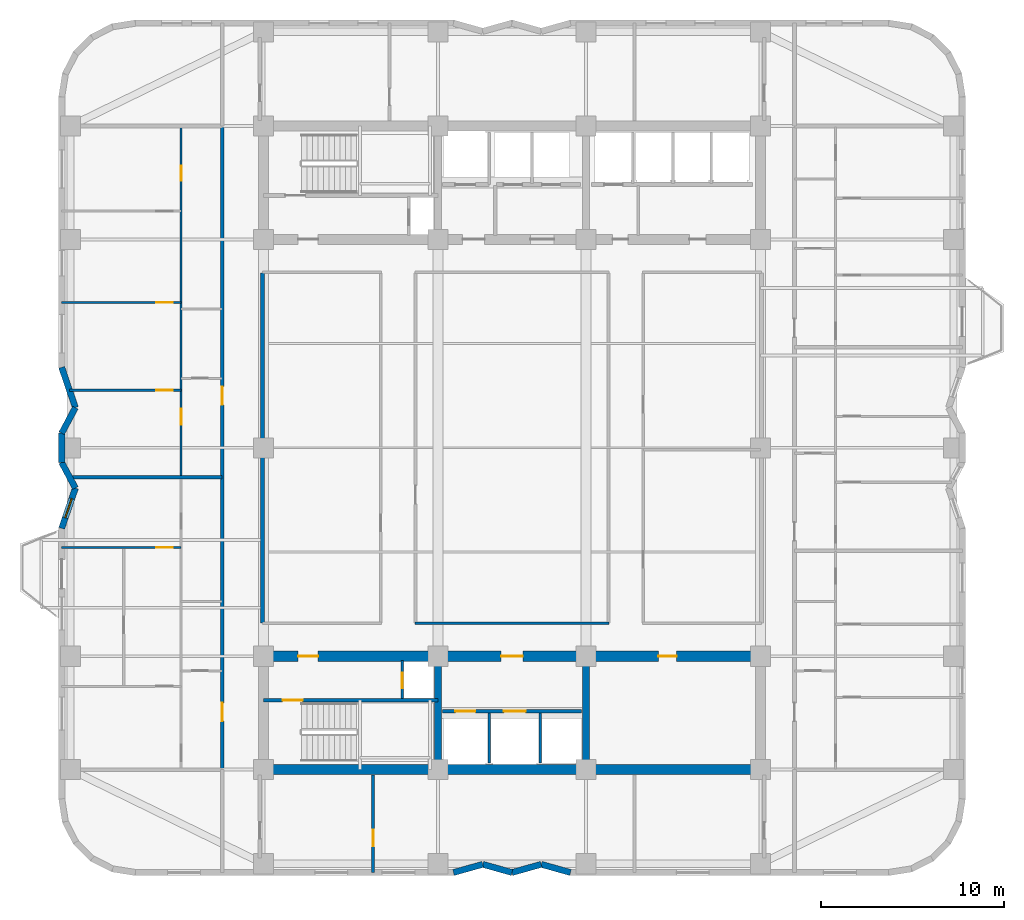
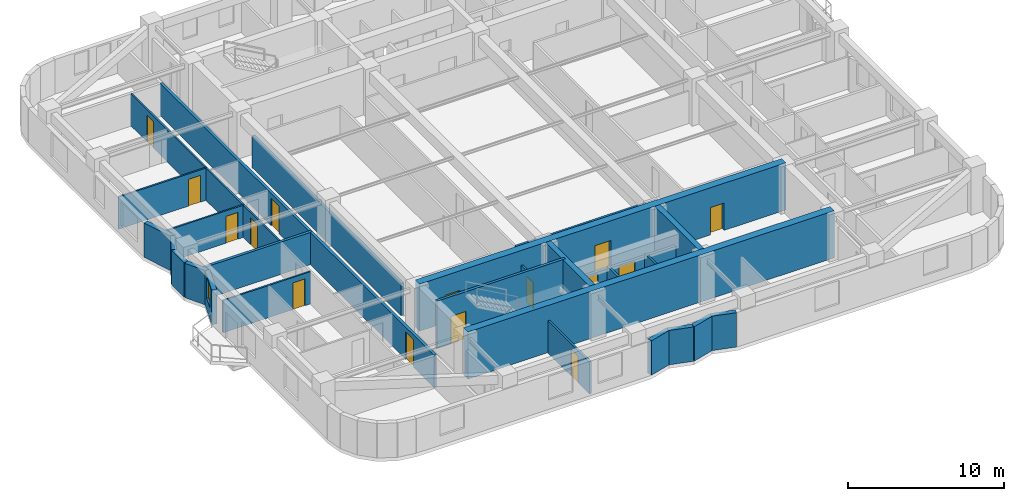
# One storey, part 3 of 9: 27 walls, 15 doors, 1 window, 16 openings.
"""IFC4 building model written with IfcOpenShell, lengths in metres."""

from ifc_helpers import new_model, si_unit, direction, frame, frame_2d, origin, place, context, subcontext, project, spatial, rectangle, extrude, material, layer, layer_set, type_object, element, fill, save


model = new_model("IFC4")

# Units and contexts
model_context = context("Model", 3, precision=1e-05, world=origin(), true_north=direction((0.0, 1.0)))
body_context = subcontext(model_context, "Body", "Model", "MODEL_VIEW")
ifc_project = project(units=[si_unit("LENGTHUNIT", "METRE"), si_unit("AREAUNIT", "SQUARE_METRE"), si_unit("VOLUMEUNIT", "CUBIC_METRE"), si_unit("PLANEANGLEUNIT", "RADIAN"), si_unit("MASSUNIT", "GRAM", prefix="KILO")], contexts=[model_context])

# Site, building, storey
site_placement = place(None, origin())
site = spatial("IfcSite", under=ifc_project, at=site_placement, CompositionType="ELEMENT")
building_placement = place(site_placement, origin())
building = spatial("IfcBuilding", under=site, at=building_placement, Name="Svetorya Sky Lyceum", CompositionType="ELEMENT")
storey_placement = place(building_placement, frame((0.0, 0.0, 121.60009765625)))
storey = spatial("IfcBuildingStorey", under=building, at=storey_placement, Name="L30", CompositionType="ELEMENT", Elevation=121.60009765625)

# Walls
ifc_material_1 = material(Name="Concrete C40/50", Category="concrete")
ifc_layer_1 = layer(ifc_material_1, 0.39990234375)
ifc_layer_set_1 = layer_set([ifc_layer_1], Name="Concrete C40/50")
wall_type_1 = type_object("IfcWallType", Name="WL-CORE-400", PredefinedType="SHEAR", material=ifc_layer_set_1)
for number, where, z_axis, x_axis, name in (
    (1, (35.14990234375, 10.875, 0.0), (0.0, 0.0, 1.0), (0.0, 1.0, 0.0), "L30 SC Internal Shear Web WEB1"),
    (2, (43.25, 10.875, 0.0), (0.0, 0.0, 1.0), (0.0, 1.0, 0.0), "L30 SC Internal Shear Web WEB2"),
):
    element("IfcWall", number, at=place(storey_placement, frame(where, z_axis=z_axis, x_axis=x_axis)), inside=storey, type_object=wall_type_1, Name=name, PredefinedType="SHEAR", context=body_context, shape_type="SweptSolid", body=[
        extrude(rectangle(XDim=5.64990234375, YDim=0.39990234375, at=frame_2d((2.824951171875, 0.0))), origin(), (0.0, 0.0, 1.0), 3.699951171875),
    ])
ifc_material_2 = material(Name="Concrete C60/75", Category="concrete")
ifc_layer_2 = layer(ifc_material_2, 0.550048828125)
ifc_layer_set_2 = layer_set([ifc_layer_2], Name="Concrete C60/75")
wall_type_2 = type_object("IfcWallType", Name="WL-CORE-550", PredefinedType="SHEAR", material=ifc_layer_set_2)
wall_1_placement = place(storey_placement, frame((52.800048828125, 10.60009765625, 0.0), z_axis=(0.0, 0.0, 1.0), x_axis=(-1.0, 0.0, 0.0)))
element("IfcWall", 3, at=wall_1_placement, inside=storey, type_object=wall_type_2, Name="L30 SC Outer Core Shear Wall", PredefinedType="SHEAR", context=body_context, shape_type="SweptSolid", body=[
    extrude(rectangle(XDim=27.199951171875, YDim=0.550048828125, at=frame_2d((13.60009765625, 0.0))), origin(), (0.0, 0.0, 1.0), 3.699951171875),
])

# Wall, openings, doors
wall_2_placement = place(storey_placement, frame((25.60009765625, 16.800048828125, 0.0), z_axis=(0.0, 0.0, 1.0), x_axis=(1.0, 0.0, 0.0)))
wall_2 = element("IfcWall", 4, at=wall_2_placement, inside=storey, type_object=wall_type_2, Name="L30 SC Inner Core Shear Wall", PredefinedType="SHEAR", context=body_context, shape_type="SweptSolid", body=[
    extrude(rectangle(XDim=27.199951171875, YDim=0.550048828125, at=frame_2d((13.60009765625, 0.0))), origin(), (0.0, 0.0, 1.0), 3.699951171875),
])
opening_1_placement = place(wall_2_placement, frame((1.89990234375, 0.0, 0.0)))
opening_1 = element("IfcOpeningElement", 5, at=opening_1_placement, cuts=wall_2, Name="Opening D-ST1", PredefinedType="OPENING", context=body_context, shape_type="SweptSolid", body=[
    extrude(rectangle(XDim=1.10009765625, YDim=2.14990234375, at=frame_2d((0.550048828125, 1.074951171875))), frame((0.0, 0.284912109375, 0.0), z_axis=(0.0, -1.0, 0.0), x_axis=(1.0, 0.0, 0.0)), (0.0, 0.0, 1.0), 0.570068359375),
])
opening_2_placement = place(wall_2_placement, frame((13.0, 0.0, 0.0)))
opening_2 = element("IfcOpeningElement", 6, at=opening_2_placement, cuts=wall_2, Name="Opening D-FL1", PredefinedType="OPENING", context=body_context, shape_type="SweptSolid", body=[
    extrude(rectangle(XDim=1.199951171875, YDim=2.14990234375, at=frame_2d((0.60009765625, 1.074951171875))), frame((0.0, 0.284912109375, 0.0), z_axis=(0.0, -1.0, 0.0), x_axis=(1.0, 0.0, 0.0)), (0.0, 0.0, 1.0), 0.570068359375),
])
opening_3_placement = place(wall_2_placement, frame((21.60009765625, 0.0, 0.0)))
opening_3 = element("IfcOpeningElement", 7, at=opening_3_placement, cuts=wall_2, Name="Opening D-RM2", PredefinedType="OPENING", context=body_context, shape_type="SweptSolid", body=[
    extrude(rectangle(XDim=1.0, YDim=2.14990234375, at=frame_2d((0.5, 1.074951171875))), frame((0.0, 0.284912109375, 0.0), z_axis=(0.0, -1.0, 0.0), x_axis=(1.0, 0.0, 0.0)), (0.0, 0.0, 1.0), 0.570068359375),
])
ifc_material_3 = material(Name="Powder-coated insulated galvanized stair fire door")
door_type_1 = type_object("IfcDoorType", Name="DR-FIRE-1100", OperationType="SINGLE_SWING_LEFT", PredefinedType="DOOR", material=ifc_material_3)
door_1_placement = place(opening_1_placement, origin())
door_1 = element("IfcDoor", 8, at=door_1_placement, inside=storey, type_object=door_type_1, Name="L30 South Stair Airlock Door", OperationType="SINGLE_SWING_RIGHT", OverallHeight=2.14990234375, OverallWidth=1.10009765625, PredefinedType="DOOR", context=body_context, shape_type="SweptSolid", body=[
    extrude(rectangle(XDim=1.10009765625, YDim=2.14990234375, at=frame_2d((0.550048828125, 1.074951171875))), frame((0.0, 0.02490234375, 0.0), z_axis=(0.0, -1.0, 0.0), x_axis=(1.0, 0.0, 0.0)), (0.0, 0.0, 1.0), 0.050048828125),
])
fill(opening_1, door_1)
ifc_material_4 = material(Name="Powder-coated insulated galvanized fire door")
door_type_2 = type_object("IfcDoorType", Name="DR-FIRE-1200", OperationType="SINGLE_SWING_LEFT", PredefinedType="DOOR", material=ifc_material_4)
door_2_placement = place(opening_2_placement, origin())
door_2 = element("IfcDoor", 9, at=door_2_placement, inside=storey, type_object=door_type_2, Name="L30 South Firefighting Lift Lobby Door", OperationType="SINGLE_SWING_LEFT", OverallHeight=2.14990234375, OverallWidth=1.199951171875, PredefinedType="DOOR", context=body_context, shape_type="SweptSolid", body=[
    extrude(rectangle(XDim=1.199951171875, YDim=2.14990234375, at=frame_2d((0.60009765625, 1.074951171875))), frame((0.0, 0.02490234375, 0.0), z_axis=(0.0, -1.0, 0.0), x_axis=(1.0, 0.0, 0.0)), (0.0, 0.0, 1.0), 0.050048828125),
])
fill(opening_2, door_2)
ifc_material_5 = material(Name="Solid-core oak acoustic room door")
door_type_3 = type_object("IfcDoorType", Name="DR-INT-1000", OperationType="SINGLE_SWING_LEFT", PredefinedType="DOOR", material=ifc_material_5)
door_3_placement = place(opening_3_placement, origin())
door_3 = element("IfcDoor", 10, at=door_3_placement, inside=storey, type_object=door_type_3, Name="L30 Trunk Store Door", OperationType="SINGLE_SWING_LEFT", OverallHeight=2.14990234375, OverallWidth=1.0, PredefinedType="DOOR", context=body_context, shape_type="SweptSolid", body=[
    extrude(rectangle(XDim=1.0, YDim=2.14990234375, at=frame_2d((0.5, 1.074951171875))), frame((0.0, 0.02490234375, 0.0), z_axis=(0.0, -1.0, 0.0), x_axis=(1.0, 0.0, 0.0)), (0.0, 0.0, 1.0), 0.050048828125),
])
fill(opening_3, door_3)

# Walls
ifc_material_6 = material(Name="Putilovo limestone rainscreen on autoclaved cellular masonry", Category="masonry")
ifc_layer_3 = layer(ifc_material_6, 0.340087890625)
ifc_layer_set_3 = layer_set([ifc_layer_3], Name="Putilovo limestone rainscreen on autoclaved cellular masonry")
wall_type_3 = type_object("IfcWallType", Name="WL-EXT-340", PredefinedType="SOLIDWALL", material=ifc_layer_set_3)
wall_3_placement = place(storey_placement, frame((36.0, 4.969970703125, 0.0), z_axis=(0.0, 0.0, 1.0), x_axis=(0.962662902433, 0.270703040766, 0.0)))
element("IfcWall", 11, at=wall_3_placement, inside=storey, type_object=wall_type_3, Name="L30 Limestone Exterior Wall 7M", PredefinedType="SOLIDWALL", context=body_context, shape_type="SweptSolid", body=[
    extrude(rectangle(XDim=1.662109375, YDim=0.340087890625, at=frame_2d((0.8310546875, 0.0))), origin(), (0.0, 0.0, 1.0), 2.699951171875),
])
wall_4_placement = place(storey_placement, frame((37.60009765625, 5.419921875, 0.0), z_axis=(0.0, 0.0, 1.0), x_axis=(0.962652136636, -0.270741322725, 0.0)))
element("IfcWall", 12, at=wall_4_placement, inside=storey, type_object=wall_type_3, Name="L30 Limestone Exterior Wall 8M", PredefinedType="SOLIDWALL", context=body_context, shape_type="SweptSolid", body=[
    extrude(rectangle(XDim=1.661865234375, YDim=0.340087890625, at=frame_2d((0.8310546875, 0.0))), origin(), (0.0, 0.0, 1.0), 2.699951171875),
])
wall_5_placement = place(storey_placement, frame((39.199951171875, 4.969970703125, 0.0), z_axis=(0.0, 0.0, 1.0), x_axis=(0.962662902433, 0.270703040766, 0.0)))
element("IfcWall", 13, at=wall_5_placement, inside=storey, type_object=wall_type_3, Name="L30 Limestone Exterior Wall 9M", PredefinedType="SOLIDWALL", context=body_context, shape_type="SweptSolid", body=[
    extrude(rectangle(XDim=1.662109375, YDim=0.340087890625, at=frame_2d((0.8310546875, 0.0))), origin(), (0.0, 0.0, 1.0), 2.699951171875),
])
wall_6_placement = place(storey_placement, frame((40.800048828125, 5.419921875, 0.0), z_axis=(0.0, 0.0, 1.0), x_axis=(0.962652136636, -0.270741322725, 0.0)))
element("IfcWall", 14, at=wall_6_placement, inside=storey, type_object=wall_type_3, Name="L30 Limestone Exterior Wall 10M", PredefinedType="SOLIDWALL", context=body_context, shape_type="SweptSolid", body=[
    extrude(rectangle(XDim=1.661865234375, YDim=0.340087890625, at=frame_2d((0.8310546875, 0.0))), origin(), (0.0, 0.0, 1.0), 2.699951171875),
])
wall_7_placement = place(storey_placement, frame((14.570068359375, 32.60009765625, 0.0), z_axis=(0.0, 0.0, 1.0), x_axis=(0.32264826586, -0.946518936175, 0.0)))
element("IfcWall", 15, at=wall_7_placement, inside=storey, type_object=wall_type_3, Name="L30 Limestone Exterior Wall 41M", PredefinedType="SOLIDWALL", context=body_context, shape_type="SweptSolid", body=[
    extrude(rectangle(XDim=2.324462890625, YDim=0.340087890625, at=frame_2d((1.162109375, 0.0))), origin(), (0.0, 0.0, 1.0), 2.699951171875),
])
wall_8_placement = place(storey_placement, frame((15.320068359375, 30.39990234375, 0.0), z_axis=(0.0, 0.0, 1.0), x_axis=(-0.472247007964, -0.881466257703, 0.0)))
element("IfcWall", 16, at=wall_8_placement, inside=storey, type_object=wall_type_3, Name="L30 Limestone Exterior Wall 42M", PredefinedType="SOLIDWALL", context=body_context, shape_type="SweptSolid", body=[
    extrude(rectangle(XDim=1.588134765625, YDim=0.340087890625, at=frame_2d((0.7939453125, 0.0))), origin(), (0.0, 0.0, 1.0), 2.699951171875),
])
wall_9_placement = place(storey_placement, frame((14.570068359375, 29.0, 0.0), z_axis=(0.0, 0.0, 1.0), x_axis=(0.0, -1.0, 0.0)))
element("IfcWall", 17, at=wall_9_placement, inside=storey, type_object=wall_type_3, Name="L30 Limestone Exterior Wall 43M", PredefinedType="SOLIDWALL", context=body_context, shape_type="SweptSolid", body=[
    extrude(rectangle(XDim=1.60009765625, YDim=0.340087890625, at=frame_2d((0.800048828125, 0.0))), origin(), (0.0, 0.0, 1.0), 2.699951171875),
])
wall_10_placement = place(storey_placement, frame((14.570068359375, 27.39990234375, 0.0), z_axis=(0.0, 0.0, 1.0), x_axis=(0.472247007964, -0.881466257703, 0.0)))
element("IfcWall", 18, at=wall_10_placement, inside=storey, type_object=wall_type_3, Name="L30 Limestone Exterior Wall 44M", PredefinedType="SOLIDWALL", context=body_context, shape_type="SweptSolid", body=[
    extrude(rectangle(XDim=1.588134765625, YDim=0.340087890625, at=frame_2d((0.7939453125, 0.0))), origin(), (0.0, 0.0, 1.0), 2.699951171875),
])

# Wall, opening, window
wall_11_placement = place(storey_placement, frame((15.320068359375, 26.0, 0.0), z_axis=(0.0, 0.0, 1.0), x_axis=(-0.322680343871, -0.946508000853, 0.0)))
wall_11 = element("IfcWall", 19, at=wall_11_placement, inside=storey, type_object=wall_type_3, Name="L30 Limestone Exterior Wall 45M", PredefinedType="SOLIDWALL", context=body_context, shape_type="SweptSolid", body=[
    extrude(rectangle(XDim=2.32421875, YDim=0.340087890625, at=frame_2d((1.162109375, 0.0))), origin(), (0.0, 0.0, 1.0), 2.699951171875),
])
opening_4_placement = place(wall_11_placement, frame((0.6123046875, 0.0, 0.889892578125)))
opening_4 = element("IfcOpeningElement", 20, at=opening_4_placement, cuts=wall_11, Name="Opening W-R3", PredefinedType="OPENING", context=body_context, shape_type="SweptSolid", body=[
    extrude(rectangle(XDim=1.10009765625, YDim=1.64990234375, at=frame_2d((0.550048828125, 0.824951171875))), frame((0.0, 0.179931640625, 0.0), z_axis=(0.0, -1.0, 0.0), x_axis=(1.0, 0.0, 0.0)), (0.0, 0.0, 1.0), 0.360107421875),
])
ifc_material_7 = material(Name="Thermally broken aluminium frame with triple low-E glazing", Category="aluminium")
window_type = type_object("IfcWindowType", Name="WN-RES-110", PartitioningType="SINGLE_PANEL", PredefinedType="WINDOW", material=ifc_material_7)
window_placement = place(opening_4_placement, origin())
window = element("IfcWindow", 21, at=window_placement, inside=storey, type_object=window_type, Name="L30 Facade Window W-R3.45M.1", OverallHeight=1.64990234375, OverallWidth=1.10009765625, PartitioningType="SINGLE_PANEL", PredefinedType="WINDOW", context=body_context, shape_type="SweptSolid", body=[
    extrude(rectangle(XDim=1.10009765625, YDim=1.64990234375, at=frame_2d((0.550048828125, 0.824951171875))), frame((0.0, 0.030029296875, 0.0), z_axis=(0.0, -1.0, 0.0), x_axis=(1.0, 0.0, 0.0)), (0.0, 0.0, 1.0), 0.06005859375),
])
fill(opening_4, window)

# Wall, opening, door
ifc_material_8 = material(Name="Twin-stud galvanized framing with double fireboard", Category="gypsum")
ifc_layer_4 = layer(ifc_material_8, 0.1201171875)
ifc_layer_set_4 = layer_set([ifc_layer_4], Name="Twin-stud galvanized framing with double fireboard")
wall_type_4 = type_object("IfcWallType", Name="WL-PART-120", PredefinedType="PARTITIONING", material=ifc_layer_set_4)
wall_12_placement = place(storey_placement, frame((14.570068359375, 22.75, 0.0), z_axis=(0.0, 0.0, 1.0), x_axis=(1.0, 0.0, 0.0)))
wall_12 = element("IfcWall", 22, at=wall_12_placement, inside=storey, type_object=wall_type_4, Name="L30 Interior Partition W1-WL2", PredefinedType="PARTITIONING", context=body_context, shape_type="SweptSolid", body=[
    extrude(rectangle(XDim=6.530029296875, YDim=0.1201171875, at=frame_2d((3.26513671875, 0.0))), origin(), (0.0, 0.0, 1.0), 2.52978515625),
])
opening_5_placement = place(wall_12_placement, frame((5.179931640625, 0.0, 0.0)))
opening_5 = element("IfcOpeningElement", 23, at=opening_5_placement, cuts=wall_12, Name="Opening D-RM1", PredefinedType="OPENING", context=body_context, shape_type="SweptSolid", body=[
    extrude(rectangle(XDim=0.89990234375, YDim=2.10009765625, at=frame_2d((0.449951171875, 1.050048828125))), frame((0.0, 0.070068359375, 0.0), z_axis=(0.0, -1.0, 0.0), x_axis=(1.0, 0.0, 0.0)), (0.0, 0.0, 1.0), 0.14013671875),
])
ifc_material_9 = material(Name="Lacquered birch veneer internal door")
door_type_4 = type_object("IfcDoorType", Name="DR-INT-900", OperationType="SINGLE_SWING_LEFT", PredefinedType="DOOR", material=ifc_material_9)
door_4_placement = place(opening_5_placement, origin())
door_4 = element("IfcDoor", 24, at=door_4_placement, inside=storey, type_object=door_type_4, Name="Apartment W1 Bedroom 2 Door", OperationType="SINGLE_SWING_RIGHT", OverallHeight=2.10009765625, OverallWidth=0.89990234375, PredefinedType="DOOR", context=body_context, shape_type="SweptSolid", body=[
    extrude(rectangle(XDim=0.89990234375, YDim=2.10009765625, at=frame_2d((0.449951171875, 1.050048828125))), frame((0.0, 0.02490234375, 0.0), z_axis=(0.0, -1.0, 0.0), x_axis=(1.0, 0.0, 0.0)), (0.0, 0.0, 1.0), 0.050048828125),
])
fill(opening_5, door_4)

wall_13_placement = place(storey_placement, frame((14.99609375, 31.35009765625, 0.0), z_axis=(0.0, 0.0, 1.0), x_axis=(1.0, 0.0, 0.0)))
wall_13 = element("IfcWall", 25, at=wall_13_placement, inside=storey, type_object=wall_type_4, Name="L30 Interior Partition W2-WL1", PredefinedType="PARTITIONING", context=body_context, shape_type="SweptSolid", body=[
    extrude(rectangle(XDim=6.10400390625, YDim=0.1201171875, at=frame_2d((3.052001953125, 0.0))), origin(), (0.0, 0.0, 1.0), 2.52978515625),
])
opening_6_placement = place(wall_13_placement, frame((4.75390625, 0.0, 0.0)))
opening_6 = element("IfcOpeningElement", 26, at=opening_6_placement, cuts=wall_13, Name="Opening D-RM1", PredefinedType="OPENING", context=body_context, shape_type="SweptSolid", body=[
    extrude(rectangle(XDim=0.89990234375, YDim=2.10009765625, at=frame_2d((0.449951171875, 1.050048828125))), frame((0.0, 0.070068359375, 0.0), z_axis=(0.0, -1.0, 0.0), x_axis=(1.0, 0.0, 0.0)), (0.0, 0.0, 1.0), 0.14013671875),
])
door_5_placement = place(opening_6_placement, origin())
door_5 = element("IfcDoor", 27, at=door_5_placement, inside=storey, type_object=door_type_4, Name="Apartment W2 Master Bedroom Door", OperationType="SINGLE_SWING_RIGHT", OverallHeight=2.10009765625, OverallWidth=0.89990234375, PredefinedType="DOOR", context=body_context, shape_type="SweptSolid", body=[
    extrude(rectangle(XDim=0.89990234375, YDim=2.10009765625, at=frame_2d((0.449951171875, 1.050048828125))), frame((0.0, 0.02490234375, 0.0), z_axis=(0.0, -1.0, 0.0), x_axis=(1.0, 0.0, 0.0)), (0.0, 0.0, 1.0), 0.050048828125),
])
fill(opening_6, door_5)

wall_14_placement = place(storey_placement, frame((14.570068359375, 36.14990234375, 0.0), z_axis=(0.0, 0.0, 1.0), x_axis=(1.0, 0.0, 0.0)))
wall_14 = element("IfcWall", 28, at=wall_14_placement, inside=storey, type_object=wall_type_4, Name="L30 Interior Partition W2-WL2", PredefinedType="PARTITIONING", context=body_context, shape_type="SweptSolid", body=[
    extrude(rectangle(XDim=6.530029296875, YDim=0.1201171875, at=frame_2d((3.26513671875, 0.0))), origin(), (0.0, 0.0, 1.0), 2.52978515625),
])
opening_7_placement = place(wall_14_placement, frame((5.179931640625, 0.0, 0.0)))
opening_7 = element("IfcOpeningElement", 29, at=opening_7_placement, cuts=wall_14, Name="Opening D-RM1", PredefinedType="OPENING", context=body_context, shape_type="SweptSolid", body=[
    extrude(rectangle(XDim=0.89990234375, YDim=2.10009765625, at=frame_2d((0.449951171875, 1.050048828125))), frame((0.0, 0.070068359375, 0.0), z_axis=(0.0, -1.0, 0.0), x_axis=(1.0, 0.0, 0.0)), (0.0, 0.0, 1.0), 0.14013671875),
])
door_6_placement = place(opening_7_placement, origin())
door_6 = element("IfcDoor", 30, at=door_6_placement, inside=storey, type_object=door_type_4, Name="Apartment W2 Bedroom 2 Door", OperationType="SINGLE_SWING_LEFT", OverallHeight=2.10009765625, OverallWidth=0.89990234375, PredefinedType="DOOR", context=body_context, shape_type="SweptSolid", body=[
    extrude(rectangle(XDim=0.89990234375, YDim=2.10009765625, at=frame_2d((0.449951171875, 1.050048828125))), frame((0.0, 0.02490234375, 0.0), z_axis=(0.0, -1.0, 0.0), x_axis=(1.0, 0.0, 0.0)), (0.0, 0.0, 1.0), 0.050048828125),
])
fill(opening_7, door_6)

# Wall, openings, doors
wall_15_placement = place(storey_placement, frame((21.10009765625, 26.639892578125, 0.0), z_axis=(0.0, 0.0, 1.0), x_axis=(0.0, 1.0, 0.0)))
wall_15 = element("IfcWall", 31, at=wall_15_placement, inside=storey, type_object=wall_type_4, Name="L30 Interior Partition W2-WV", PredefinedType="PARTITIONING", context=body_context, shape_type="SweptSolid", body=[
    extrude(rectangle(XDim=19.1201171875, YDim=0.1201171875, at=frame_2d((9.56005859375, 0.0))), origin(), (0.0, 0.0, 1.0), 2.52978515625),
])
opening_8_placement = place(wall_15_placement, frame((2.81005859375, 0.0, 0.0)))
opening_8 = element("IfcOpeningElement", 32, at=opening_8_placement, cuts=wall_15, Name="Opening D-RM1", PredefinedType="OPENING", context=body_context, shape_type="SweptSolid", body=[
    extrude(rectangle(XDim=0.89990234375, YDim=2.10009765625, at=frame_2d((0.449951171875, 1.050048828125))), frame((0.0, 0.070068359375, 0.0), z_axis=(0.0, -1.0, 0.0), x_axis=(1.0, 0.0, 0.0)), (0.0, 0.0, 1.0), 0.14013671875),
])
opening_9_placement = place(wall_15_placement, frame((16.179931640625, 0.0, 0.0)))
opening_9 = element("IfcOpeningElement", 33, at=opening_9_placement, cuts=wall_15, Name="Opening D-BT2", PredefinedType="OPENING", context=body_context, shape_type="SweptSolid", body=[
    extrude(rectangle(XDim=0.820068359375, YDim=2.080078125, at=frame_2d((0.41015625, 1.0400390625))), frame((0.0, 0.070068359375, 0.0), z_axis=(0.0, -1.0, 0.0), x_axis=(1.0, 0.0, 0.0)), (0.0, 0.0, 1.0), 0.14013671875),
])
door_7_placement = place(opening_8_placement, origin())
door_7 = element("IfcDoor", 34, at=door_7_placement, inside=storey, type_object=door_type_4, Name="Apartment W2 Living Door", OperationType="SINGLE_SWING_LEFT", OverallHeight=2.10009765625, OverallWidth=0.89990234375, PredefinedType="DOOR", context=body_context, shape_type="SweptSolid", body=[
    extrude(rectangle(XDim=0.89990234375, YDim=2.10009765625, at=frame_2d((0.449951171875, 1.050048828125))), frame((0.0, 0.02490234375, 0.0), z_axis=(0.0, -1.0, 0.0), x_axis=(1.0, 0.0, 0.0)), (0.0, 0.0, 1.0), 0.050048828125),
])
fill(opening_8, door_7)
ifc_material_10 = material(Name="Compact moisture-resistant laminate closet door")
door_type_5 = type_object("IfcDoorType", Name="DR-WET-820", OperationType="SINGLE_SWING_LEFT", PredefinedType="DOOR", material=ifc_material_10)
door_8_placement = place(opening_9_placement, origin())
door_8 = element("IfcDoor", 35, at=door_8_placement, inside=storey, type_object=door_type_5, Name="Apartment W2 Study Door", OperationType="SINGLE_SWING_RIGHT", OverallHeight=2.080078125, OverallWidth=0.820068359375, PredefinedType="DOOR", context=body_context, shape_type="SweptSolid", body=[
    extrude(rectangle(XDim=0.820068359375, YDim=2.080078125, at=frame_2d((0.41015625, 1.0400390625))), frame((0.0, 0.02490234375, 0.0), z_axis=(0.0, -1.0, 0.0), x_axis=(1.0, 0.0, 0.0)), (0.0, 0.0, 1.0), 0.050048828125),
])
fill(opening_9, door_8)

# Wall, opening, door
ifc_material_11 = material(Name="Autoclaved cellular masonry blockwork with acoustic render", Category="masonry")
ifc_layer_5 = layer(ifc_material_11, 0.14990234375)
ifc_layer_set_5 = layer_set([ifc_layer_5], Name="Autoclaved cellular masonry blockwork with acoustic render")
wall_type_5 = type_object("IfcWallType", Name="WL-PART-150", PredefinedType="PARTITIONING", material=ifc_layer_set_5)
wall_16_placement = place(storey_placement, frame((33.199951171875, 14.5, 0.0), z_axis=(0.0, 0.0, 1.0), x_axis=(0.0, 1.0, 0.0)))
wall_16 = element("IfcWall", 36, at=wall_16_placement, inside=storey, type_object=wall_type_5, Name="L30 Interior Partition SC-AIRDIV", PredefinedType="PARTITIONING", context=body_context, shape_type="SweptSolid", body=[
    extrude(rectangle(XDim=2.080078125, YDim=0.14990234375, at=frame_2d((1.0400390625, 0.0))), origin(), (0.0, 0.0, 1.0), 2.52978515625),
])
opening_10_placement = place(wall_16_placement, frame((0.550048828125, 0.0, 0.0)))
opening_10 = element("IfcOpeningElement", 37, at=opening_10_placement, cuts=wall_16, Name="Opening D-SH1", PredefinedType="OPENING", context=body_context, shape_type="SweptSolid", body=[
    extrude(rectangle(XDim=0.85009765625, YDim=2.050048828125, at=frame_2d((0.425048828125, 1.02490234375))), frame((0.0, 0.0849609375, 0.0), z_axis=(0.0, -1.0, 0.0), x_axis=(1.0, 0.0, 0.0)), (0.0, 0.0, 1.0), 0.169921875),
])
ifc_material_12 = material(Name="Insulated galvanized riser inspection fire door")
door_type_6 = type_object("IfcDoorType", Name="DR-SHFT-850", OperationType="SINGLE_SWING_LEFT", PredefinedType="TRAPDOOR", material=ifc_material_12)
door_9_placement = place(opening_10_placement, origin())
door_9 = element("IfcDoor", 38, at=door_9_placement, inside=storey, type_object=door_type_6, Name="L30 South Riser Access Door", OperationType="SINGLE_SWING_RIGHT", OverallHeight=2.050048828125, OverallWidth=0.85009765625, PredefinedType="TRAPDOOR", context=body_context, shape_type="SweptSolid", body=[
    extrude(rectangle(XDim=0.85009765625, YDim=2.050048828125, at=frame_2d((0.425048828125, 1.02490234375))), frame((0.0, 0.02490234375, 0.0), z_axis=(0.0, -1.0, 0.0), x_axis=(1.0, 0.0, 0.0)), (0.0, 0.0, 1.0), 0.050048828125),
])
fill(opening_10, door_9)

# Walls
for number, where, z_axis, x_axis, name in (
    (39, (37.949951171875, 10.949951171875, 0.0), (0.0, 0.0, 1.0), (0.0, 1.0, 0.0), "L30 Interior Partition SC-SHD1"),
    (40, (40.75, 10.949951171875, 0.0), (0.0, 0.0, 1.0), (0.0, 1.0, 0.0), "L30 Interior Partition SC-SHD2"),
):
    element("IfcWall", number, at=place(storey_placement, frame(where, z_axis=z_axis, x_axis=x_axis)), inside=storey, type_object=wall_type_5, Name=name, PredefinedType="PARTITIONING", context=body_context, shape_type="SweptSolid", body=[
        extrude(rectangle(XDim=2.75, YDim=0.14990234375, at=frame_2d((1.375, 0.0))), origin(), (0.0, 0.0, 1.0), 2.52978515625),
    ])
wall_17_placement = place(storey_placement, frame((33.89990234375, 18.60009765625, 0.0), z_axis=(0.0, 0.0, 1.0), x_axis=(1.0, 0.0, 0.0)))
element("IfcWall", 41, at=wall_17_placement, inside=storey, type_object=wall_type_5, Name="L30 Interior Partition RL-CS-M", PredefinedType="PARTITIONING", context=body_context, shape_type="SweptSolid", body=[
    extrude(rectangle(XDim=10.60009765625, YDim=0.14990234375, at=frame_2d((5.300048828125, 0.0))), origin(), (0.0, 0.0, 1.0), 2.52978515625),
])

# Wall, opening, door
wall_18_placement = place(storey_placement, frame((31.60009765625, 4.969970703125, 0.0), z_axis=(0.0, 0.0, 1.0), x_axis=(0.0, 1.0, 0.0)))
wall_18 = element("IfcWall", 42, at=wall_18_placement, inside=storey, type_object=wall_type_5, Name="L30 Interior Partition S-D1", PredefinedType="PARTITIONING", context=body_context, shape_type="SweptSolid", body=[
    extrude(rectangle(XDim=5.330078125, YDim=0.14990234375, at=frame_2d((2.6650390625, 0.0))), origin(), (0.0, 0.0, 1.0), 2.52978515625),
])
opening_11_placement = place(wall_18_placement, frame((1.449951171875, 0.0, 0.0)))
opening_11 = element("IfcOpeningElement", 43, at=opening_11_placement, cuts=wall_18, Name="Opening D-RM1", PredefinedType="OPENING", context=body_context, shape_type="SweptSolid", body=[
    extrude(rectangle(XDim=0.89990234375, YDim=2.10009765625, at=frame_2d((0.449951171875, 1.050048828125))), frame((0.0, 0.0849609375, 0.0), z_axis=(0.0, -1.0, 0.0), x_axis=(1.0, 0.0, 0.0)), (0.0, 0.0, 1.0), 0.169921875),
])
door_10_placement = place(opening_11_placement, origin())
door_10 = element("IfcDoor", 44, at=door_10_placement, inside=storey, type_object=door_type_4, Name="L30 South Store Door", OperationType="SINGLE_SWING_LEFT", OverallHeight=2.10009765625, OverallWidth=0.89990234375, PredefinedType="DOOR", context=body_context, shape_type="SweptSolid", body=[
    extrude(rectangle(XDim=0.89990234375, YDim=2.10009765625, at=frame_2d((0.449951171875, 1.050048828125))), frame((0.0, 0.02490234375, 0.0), z_axis=(0.0, -1.0, 0.0), x_axis=(1.0, 0.0, 0.0)), (0.0, 0.0, 1.0), 0.050048828125),
])
fill(opening_11, door_10)

# Wall, openings, doors
ifc_material_13 = material(Name="Autoclaved cellular masonry blockwork with gypsum plaster", Category="masonry")
ifc_layer_6 = layer(ifc_material_13, 0.199951171875)
ifc_layer_set_6 = layer_set([ifc_layer_6], Name="Autoclaved cellular masonry blockwork with gypsum plaster")
wall_type_6 = type_object("IfcWallType", Name="WL-PART-200", PredefinedType="PARTITIONING", material=ifc_layer_set_6)
wall_19_placement = place(storey_placement, frame((35.39990234375, 13.800048828125, 0.0), z_axis=(0.0, 0.0, 1.0), x_axis=(1.0, 0.0, 0.0)))
wall_19 = element("IfcWall", 45, at=wall_19_placement, inside=storey, type_object=wall_type_6, Name="L30 Interior Partition SC-FLW", PredefinedType="PARTITIONING", context=body_context, shape_type="SweptSolid", body=[
    extrude(rectangle(XDim=7.60009765625, YDim=0.199951171875, at=frame_2d((3.800048828125, 0.0))), origin(), (0.0, 0.0, 1.0), 2.2998046875),
])
opening_12_placement = place(wall_19_placement, frame((0.699951171875, 0.0, 0.0)))
opening_12 = element("IfcOpeningElement", 46, at=opening_12_placement, cuts=wall_19, Name="Opening LD-FL", PredefinedType="OPENING", context=body_context, shape_type="SweptSolid", body=[
    extrude(rectangle(XDim=1.10009765625, YDim=2.14990234375, at=frame_2d((0.550048828125, 1.074951171875))), frame((0.0, 0.10986328125, 0.0), z_axis=(0.0, -1.0, 0.0), x_axis=(1.0, 0.0, 0.0)), (0.0, 0.0, 1.0), 0.219970703125),
])
opening_13_placement = place(wall_19_placement, frame((3.35009765625, 0.0, 0.0)))
opening_13 = element("IfcOpeningElement", 47, at=opening_13_placement, cuts=wall_19, Name="Opening LD-SV", PredefinedType="OPENING", context=body_context, shape_type="SweptSolid", body=[
    extrude(rectangle(XDim=1.199951171875, YDim=2.14990234375, at=frame_2d((0.60009765625, 1.074951171875))), frame((0.0, 0.10986328125, 0.0), z_axis=(0.0, -1.0, 0.0), x_axis=(1.0, 0.0, 0.0)), (0.0, 0.0, 1.0), 0.219970703125),
])
ifc_material_14 = material(Name="Fire-rated stainless AISI 304 firefighting lift landing door")
door_type_7 = type_object("IfcDoorType", Name="DR-LIFT-1100", OperationType="SLIDING_TO_LEFT", PredefinedType="DOOR", material=ifc_material_14)
door_11_placement = place(opening_12_placement, origin())
door_11 = element("IfcDoor", 48, at=door_11_placement, inside=storey, type_object=door_type_7, Name="L30 Firefighting Lift FL2 Landing Door", OperationType="SLIDING_TO_LEFT", OverallHeight=2.14990234375, OverallWidth=1.10009765625, PredefinedType="DOOR", context=body_context, shape_type="SweptSolid", body=[
    extrude(rectangle(XDim=1.10009765625, YDim=2.14990234375, at=frame_2d((0.550048828125, 1.074951171875))), frame((0.0, 0.02490234375, 0.0), z_axis=(0.0, -1.0, 0.0), x_axis=(1.0, 0.0, 0.0)), (0.0, 0.0, 1.0), 0.050048828125),
])
fill(opening_12, door_11)
ifc_material_15 = material(Name="Brushed stainless AISI 304 telescopic lift landing door")
door_type_8 = type_object("IfcDoorType", Name="DR-LIFT-1200", OperationType="SLIDING_TO_LEFT", PredefinedType="DOOR", material=ifc_material_15)
door_12_placement = place(opening_13_placement, origin())
door_12 = element("IfcDoor", 49, at=door_12_placement, inside=storey, type_object=door_type_8, Name="L30 Service Lift SVL1 Landing Door", OperationType="SLIDING_TO_LEFT", OverallHeight=2.14990234375, OverallWidth=1.199951171875, PredefinedType="DOOR", context=body_context, shape_type="SweptSolid", body=[
    extrude(rectangle(XDim=1.199951171875, YDim=2.14990234375, at=frame_2d((0.60009765625, 1.074951171875))), frame((0.0, 0.02490234375, 0.0), z_axis=(0.0, -1.0, 0.0), x_axis=(1.0, 0.0, 0.0)), (0.0, 0.0, 1.0), 0.050048828125),
])
fill(opening_13, door_12)

# Walls
wall_20_placement = place(storey_placement, frame((25.550048828125, 18.6298828125, 0.0), z_axis=(0.0, 0.0, 1.0), x_axis=(0.0, 1.0, 0.0)))
element("IfcWall", 50, at=wall_20_placement, inside=storey, type_object=wall_type_6, Name="L30 Interior Partition W-CEN-SEP", PredefinedType="PARTITIONING", context=body_context, shape_type="SweptSolid", body=[
    extrude(rectangle(XDim=19.14013671875, YDim=0.199951171875, at=frame_2d((9.570068359375, 0.0))), origin(), (0.0, 0.0, 1.0), 2.52978515625),
])
wall_21_placement = place(storey_placement, frame((14.99853515625, 26.60009765625, 0.0), z_axis=(0.0, 0.0, 1.0), x_axis=(1.0, 0.0, 0.0)))
element("IfcWall", 51, at=wall_21_placement, inside=storey, type_object=wall_type_6, Name="L30 Interior Partition W-PARTY-1", PredefinedType="PARTITIONING", context=body_context, shape_type="SweptSolid", body=[
    extrude(rectangle(XDim=8.3515625, YDim=0.199951171875, at=frame_2d((4.17578125, 0.0))), origin(), (0.0, 0.0, 1.0), 2.52978515625),
])

# Wall, openings, doors
wall_22_placement = place(storey_placement, frame((23.35009765625, 10.60009765625, 0.0), z_axis=(0.0, 0.0, 1.0), x_axis=(0.0, 1.0, 0.0)))
wall_22 = element("IfcWall", 52, at=wall_22_placement, inside=storey, type_object=wall_type_6, Name="L30 Interior Partition W-CORRW", PredefinedType="PARTITIONING", context=body_context, shape_type="SweptSolid", body=[
    extrude(rectangle(XDim=35.199951171875, YDim=0.199951171875, at=frame_2d((17.60009765625, 0.0))), origin(), (0.0, 0.0, 1.0), 2.52978515625),
])
opening_14_placement = place(wall_22_placement, frame((2.64990234375, 0.0, 0.0)))
opening_14 = element("IfcOpeningElement", 53, at=opening_14_placement, cuts=wall_22, Name="Opening D-APT1", PredefinedType="OPENING", context=body_context, shape_type="SweptSolid", body=[
    extrude(rectangle(XDim=1.0, YDim=2.14990234375, at=frame_2d((0.5, 1.074951171875))), frame((0.0, 0.10986328125, 0.0), z_axis=(0.0, -1.0, 0.0), x_axis=(1.0, 0.0, 0.0)), (0.0, 0.0, 1.0), 0.219970703125),
])
opening_15_placement = place(wall_22_placement, frame((19.949951171875, 0.0, 0.0)))
opening_15 = element("IfcOpeningElement", 54, at=opening_15_placement, cuts=wall_22, Name="Opening D-APT1", PredefinedType="OPENING", context=body_context, shape_type="SweptSolid", body=[
    extrude(rectangle(XDim=1.0, YDim=2.14990234375, at=frame_2d((0.5, 1.074951171875))), frame((0.0, 0.10986328125, 0.0), z_axis=(0.0, -1.0, 0.0), x_axis=(1.0, 0.0, 0.0)), (0.0, 0.0, 1.0), 0.219970703125),
])
ifc_material_16 = material(Name="Insulated oak-veneered apartment entrance door")
door_type_9 = type_object("IfcDoorType", Name="DR-APT-1000", OperationType="SINGLE_SWING_LEFT", PredefinedType="DOOR", material=ifc_material_16)
door_13_placement = place(opening_14_placement, origin())
door_13 = element("IfcDoor", 55, at=door_13_placement, inside=storey, type_object=door_type_9, Name="L30 Apartment W1 Entrance Door", OperationType="SINGLE_SWING_LEFT", OverallHeight=2.14990234375, OverallWidth=1.0, PredefinedType="DOOR", context=body_context, shape_type="SweptSolid", body=[
    extrude(rectangle(XDim=1.0, YDim=2.14990234375, at=frame_2d((0.5, 1.074951171875))), frame((0.0, 0.02490234375, 0.0), z_axis=(0.0, -1.0, 0.0), x_axis=(1.0, 0.0, 0.0)), (0.0, 0.0, 1.0), 0.050048828125),
])
fill(opening_14, door_13)
door_14_placement = place(opening_15_placement, origin())
door_14 = element("IfcDoor", 56, at=door_14_placement, inside=storey, type_object=door_type_9, Name="L30 Apartment W2 Entrance Door", OperationType="SINGLE_SWING_RIGHT", OverallHeight=2.14990234375, OverallWidth=1.0, PredefinedType="DOOR", context=body_context, shape_type="SweptSolid", body=[
    extrude(rectangle(XDim=1.0, YDim=2.14990234375, at=frame_2d((0.5, 1.074951171875))), frame((0.0, 0.02490234375, 0.0), z_axis=(0.0, -1.0, 0.0), x_axis=(1.0, 0.0, 0.0)), (0.0, 0.0, 1.0), 0.050048828125),
])
fill(opening_15, door_14)

# Wall, opening, door
ifc_material_17 = material(Name="Concrete C50/60", Category="concrete")
ifc_layer_7 = layer(ifc_material_17, 0.199951171875)
ifc_layer_set_7 = layer_set([ifc_layer_7], Name="Concrete C50/60")
wall_type_7 = type_object("IfcWallType", Name="WL-SHW-200", PredefinedType="SHEAR", material=ifc_layer_set_7)
wall_23_placement = place(storey_placement, frame((25.60009765625, 14.39990234375, 0.0), z_axis=(0.0, 0.0, 1.0), x_axis=(1.0, 0.0, 0.0)))
wall_23 = element("IfcWall", 57, at=wall_23_placement, inside=storey, type_object=wall_type_7, Name="L30 Structural Stair Shaft Wall SC-STW", PredefinedType="SHEAR", context=body_context, shape_type="SweptSolid", body=[
    extrude(rectangle(XDim=9.5498046875, YDim=0.199951171875, at=frame_2d((4.77490234375, 0.0))), origin(), (0.0, 0.0, 1.0), 3.699951171875),
])
opening_16_placement = place(wall_23_placement, frame((1.050048828125, 0.0, 0.0)))
opening_16 = element("IfcOpeningElement", 58, at=opening_16_placement, cuts=wall_23, Name="Opening D-ST1", PredefinedType="OPENING", context=body_context, shape_type="SweptSolid", body=[
    extrude(rectangle(XDim=1.10009765625, YDim=2.14990234375, at=frame_2d((0.550048828125, 1.074951171875))), frame((0.0, 0.10986328125, 0.0), z_axis=(0.0, -1.0, 0.0), x_axis=(1.0, 0.0, 0.0)), (0.0, 0.0, 1.0), 0.219970703125),
])
door_15_placement = place(opening_16_placement, origin())
door_15 = element("IfcDoor", 59, at=door_15_placement, inside=storey, type_object=door_type_1, Name="L30 Stair ST-S Vestibule Fire Door", OperationType="SINGLE_SWING_LEFT", OverallHeight=2.14990234375, OverallWidth=1.10009765625, PredefinedType="DOOR", context=body_context, shape_type="SweptSolid", body=[
    extrude(rectangle(XDim=1.10009765625, YDim=2.14990234375, at=frame_2d((0.550048828125, 1.074951171875))), frame((0.0, 0.02490234375, 0.0), z_axis=(0.0, -1.0, 0.0), x_axis=(1.0, 0.0, 0.0)), (0.0, 0.0, 1.0), 0.050048828125),
])
fill(opening_16, door_15)

save(model, "model.ifc")
